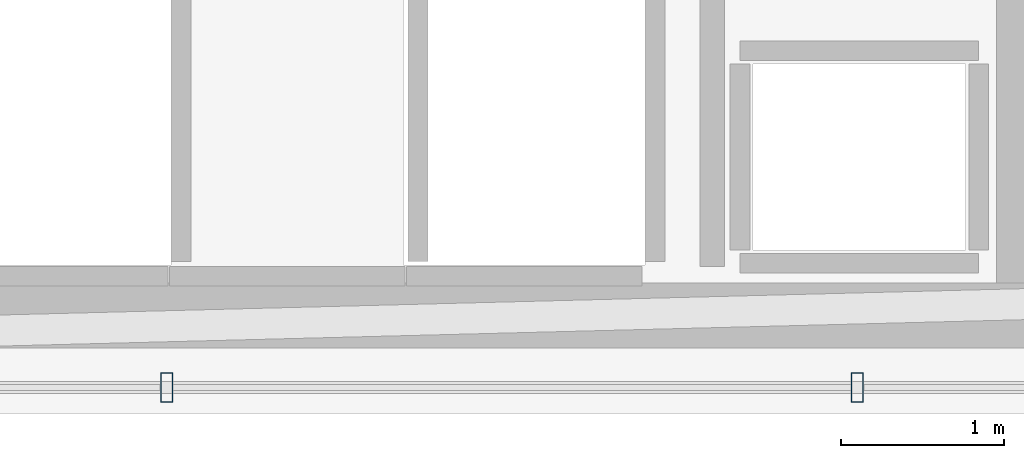
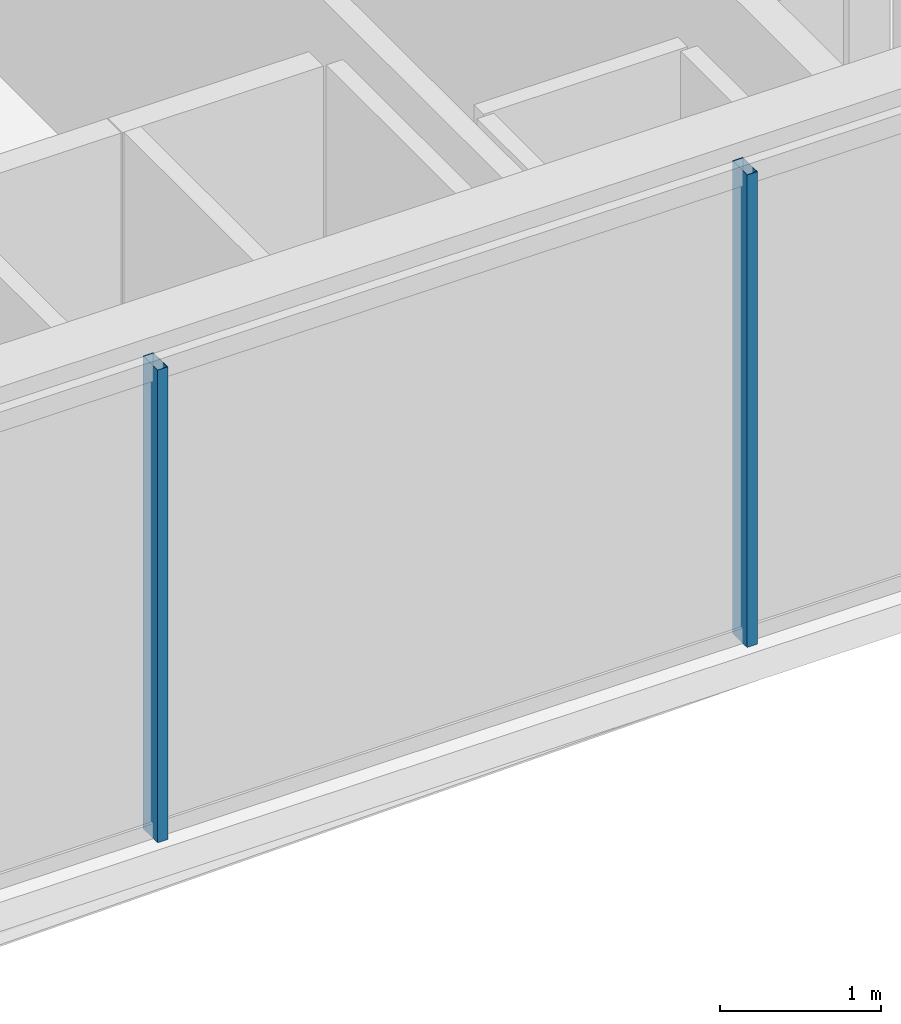
# One storey, part 8 of 33: 2 members, 1 element without a shape of its own.
"""IFC4 building model written with IfcOpenShell, lengths in metres."""

import ifcopenshell
import ifcopenshell.guid

model = None  # the IFC model being written
_history = None  # IfcOwnerHistory: only IFC2X3 demands one
_inside = {}  # id of a spatial element -> (the spatial element, [elements in it])
_under = {}  # id of a project, library or spatial element -> (it, [spatial elements below it])
_declared = {}  # id of a project -> (the project, [libraries it declares])
_typed = {}  # id of a type object -> (the type object, [elements of that type])
_made_of = {}  # id of a material, layer set ... -> (it, [elements and type objects made of it])


def new_model(schema):
    """Start an empty IFC model of exactly this schema.

    Asked for "IFC4X3", IfcOpenShell would pick the latest addendum, in which some entities
    have other attributes; the version numbers below select the first issue.
    IFC2X3 requires an IfcOwnerHistory on every rooted entity: one is made here for all.
    """
    global model, _history
    if schema == "IFC4X3":
        model = ifcopenshell.file(schema_version=(4, 3, 0, 0))
    else:
        model = ifcopenshell.file(schema=schema)
    _inside.clear()
    _under.clear()
    _declared.clear()
    _typed.clear()
    _made_of.clear()
    _history = None
    if model.schema == "IFC2X3":
        org = make("IfcOrganization", Name="unknown")
        user = make(
            "IfcPersonAndOrganization",
            ThePerson=make("IfcPerson", FamilyName="unknown"),
            TheOrganization=org,
        )
        app = make(
            "IfcApplication",
            ApplicationDeveloper=org,
            Version="unknown",
            ApplicationFullName="unknown",
            ApplicationIdentifier="unknown",
        )
        _history = make(
            "IfcOwnerHistory",
            OwningUser=user,
            OwningApplication=app,
            ChangeAction="ADDED",
            CreationDate=0,
        )
    return model


def make(cls, **values):
    """One entity of the class cls with the attributes given. An attribute that is None is left unset."""
    return model.create_entity(
        cls, **{name: value for name, value in values.items() if value is not None}
    )


def rooted(cls, **values):
    """An entity with a GlobalId (a new one), such as an element, a storey or a relation."""
    return make(cls, GlobalId=ifcopenshell.guid.new(), OwnerHistory=_history, **values)


def si_unit(unit_type, name, prefix=None):
    """IfcSIUnit, for example si_unit("LENGTHUNIT", "METRE", prefix="MILLI")."""
    return make("IfcSIUnit", UnitType=unit_type, Prefix=prefix, Name=name)


def assignment(units):
    """IfcUnitAssignment: the units of a project."""
    return None if units is None else make("IfcUnitAssignment", Units=units)


def point(xyz):
    """IfcCartesianPoint."""
    return None if xyz is None else make("IfcCartesianPoint", Coordinates=xyz)


def direction(xyz):
    """IfcDirection."""
    return None if xyz is None else make("IfcDirection", DirectionRatios=xyz)


def frame(location, z_axis=None, x_axis=None):
    """IfcAxis2Placement3D, a coordinate frame: its origin and axes. An axis left out is left unset."""
    return make(
        "IfcAxis2Placement3D",
        Location=point(location),
        Axis=direction(z_axis),
        RefDirection=direction(x_axis),
    )


def frame_2d(location, x_axis=None):
    """IfcAxis2Placement2D, a coordinate frame in the plane: its origin and x axis."""
    return make(
        "IfcAxis2Placement2D", Location=point(location), RefDirection=direction(x_axis)
    )


def origin():
    """The frame at (0, 0, 0) with its axes left unset."""
    return frame((0.0, 0.0, 0.0))


def origin_2d():
    """The frame at (0, 0) in the plane with its x axis left unset."""
    return frame_2d((0.0, 0.0))


def place(relative_to, where):
    """IfcLocalPlacement: puts the frame where relative to a parent placement (None: the world)."""
    return make(
        "IfcLocalPlacement", PlacementRelTo=relative_to, RelativePlacement=where
    )


def context(
    kind, dimensions, precision=None, world=None, true_north=None, identifier=None
):
    """IfcGeometricRepresentationContext, for example the 3D "Model" context."""
    return make(
        "IfcGeometricRepresentationContext",
        ContextIdentifier=identifier,
        ContextType=kind,
        CoordinateSpaceDimension=dimensions,
        Precision=precision,
        WorldCoordinateSystem=world,
        TrueNorth=true_north,
    )


def subcontext(parent, identifier, kind, view, scale=None):
    """IfcGeometricRepresentationSubContext, for example "Body" below "Model"."""
    return make(
        "IfcGeometricRepresentationSubContext",
        ContextIdentifier=identifier,
        ContextType=kind,
        ParentContext=parent,
        TargetScale=scale,
        TargetView=view,
    )


def project(units=None, contexts=None):
    """IfcProject with its units and contexts."""
    return rooted(
        "IfcProject",
        Name="project",
        RepresentationContexts=contexts,
        UnitsInContext=assignment(units),
    )


def spatial(cls, under=None, at=None, **own):
    """A site, building, storey or space (cls), placed at a placement, below another one or the project."""
    s = rooted(cls, ObjectPlacement=at, **own)
    if under is not None:
        _under.setdefault(under.id(), (under, []))[1].append(s)
    return s


def profile(cls, at=None, kind="AREA", **sizes):
    """A parametric profile (cls). Its sizes go by their IFC names, for example OverallWidth=200.0."""
    return make(cls, ProfileType=kind, Position=at, **sizes)


def hollow_rectangle(**sizes):
    """IfcRectangleHollowProfileDef."""
    return profile("IfcRectangleHollowProfileDef", **sizes)


def extrude(swept, where, along, depth):
    """IfcExtrudedAreaSolid: the profile swept, set in the frame where, extruded along a direction by depth."""
    return make(
        "IfcExtrudedAreaSolid",
        SweptArea=swept,
        Position=where,
        ExtrudedDirection=direction(along),
        Depth=depth,
    )


def shape(context_of_items, identifier, shape_type, items):
    """IfcShapeRepresentation: the items that make up one representation, for example the "Body"."""
    return make(
        "IfcShapeRepresentation",
        ContextOfItems=context_of_items,
        RepresentationIdentifier=identifier,
        RepresentationType=shape_type,
        Items=items,
    )


def material(Name=None, Category=None):
    """IfcMaterial."""
    return make("IfcMaterial", Name=Name, Category=Category)


def layer(
    of_material, thickness, ventilated=None, Name=None, Category=None, Priority=None
):
    """IfcMaterialLayer: one layer of a wall or slab, of a material (None: an air gap)."""
    return make(
        "IfcMaterialLayer",
        Material=of_material,
        LayerThickness=thickness,
        IsVentilated=ventilated,
        Name=Name,
        Category=Category,
        Priority=Priority,
    )


def layer_set(layers, Name=None):
    """IfcMaterialLayerSet."""
    return make("IfcMaterialLayerSet", MaterialLayers=layers, LayerSetName=Name)


def material_profile(
    of_material, cross_section, Name=None, Category=None, Priority=None
):
    """IfcMaterialProfile: a cross section and its material."""
    return make(
        "IfcMaterialProfile",
        Name=Name,
        Material=of_material,
        Profile=cross_section,
        Priority=Priority,
        Category=Category,
    )


def profile_set(profiles, Name=None, composite=None):
    """IfcMaterialProfileSet."""
    return make(
        "IfcMaterialProfileSet",
        Name=Name,
        MaterialProfiles=profiles,
        CompositeProfile=composite,
    )


def made_of(thing, what):
    """Note that an element or type object is made of a material, layer set ...; save() writes the relation."""
    if what is not None:
        _made_of.setdefault(what.id(), (what, []))[1].append(thing)
    return thing


def type_object(cls, material=None, **own):
    """A type object (cls), such as IfcWallType, which elements share."""
    return made_of(rooted(cls, **own), material)


def element(
    cls,
    number,
    at=None,
    inside=None,
    cuts=None,
    type_object=None,
    material=None,
    context=None,
    identifier="Body",
    shape_type=None,
    held_by="IfcProductDefinitionShape",
    body=None,
    shapes=None,
    **own,
):
    """One element of the class cls, such as IfcWall. Its Tag is "e" and its number.

    at: its placement. inside: the storey or other place that contains it. cuts: it is an
    opening in that element (IfcRelVoidsElement). A single representation is given by context,
    identifier, shape_type and body (its items); several are given by shapes. held_by: the class
    of the entity that holds the representations. save() writes the other relations.
    """
    e = rooted(cls, Tag="e%d" % number, ObjectPlacement=at, **own)
    if body is not None:
        shapes = [shape(context, identifier, shape_type, body)]
    if shapes is not None:
        e.Representation = make(held_by, Representations=shapes)
    if inside is not None:
        _inside.setdefault(inside.id(), (inside, []))[1].append(e)
    if cuts is not None:
        rooted(
            "IfcRelVoidsElement", RelatingBuildingElement=cuts, RelatedOpeningElement=e
        )
    if type_object is not None:
        _typed.setdefault(type_object.id(), (type_object, []))[1].append(e)
    return made_of(e, material)


def aggregate(whole, parts):
    """IfcRelAggregates: a whole, such as a stair, and the parts it consists of."""
    return rooted("IfcRelAggregates", RelatingObject=whole, RelatedObjects=parts)


def save(model, path):
    """Write the relations noted so far, then the file.

    IfcRelAggregates (storeys below a building ...), IfcRelContainedInSpatialStructure (elements
    in a storey), IfcRelDefinesByType, IfcRelAssociatesMaterial and IfcRelDeclares: one each for
    every whole, place, type object, material and project.
    """
    for whole, parts in _under.values():
        aggregate(whole, parts)
    for where, things in _inside.values():
        rooted(
            "IfcRelContainedInSpatialStructure",
            RelatedElements=things,
            RelatingStructure=where,
        )
    for kind, things in _typed.values():
        rooted("IfcRelDefinesByType", RelatedObjects=things, RelatingType=kind)
    for what, things in _made_of.values():
        rooted("IfcRelAssociatesMaterial", RelatedObjects=things, RelatingMaterial=what)
    for by, libraries in _declared.values():
        rooted("IfcRelDeclares", RelatingContext=by, RelatedDefinitions=libraries)
    model.write(path)


model = new_model("IFC4")

# Units and contexts
model_context = context("Model", 3, precision=1e-05, world=origin(), true_north=direction((0.0, 1.0)))
body_context = subcontext(model_context, "Body", "Model", "MODEL_VIEW")
ifc_project = project(units=[si_unit("LENGTHUNIT", "METRE"), si_unit("AREAUNIT", "SQUARE_METRE"), si_unit("VOLUMEUNIT", "CUBIC_METRE"), si_unit("PLANEANGLEUNIT", "RADIAN"), si_unit("MASSUNIT", "GRAM", prefix="KILO")], contexts=[model_context])

# Site, building, storey
site_placement = place(None, origin())
site = spatial("IfcSite", under=ifc_project, at=site_placement, CompositionType="ELEMENT")
building_placement = place(site_placement, origin())
building = spatial("IfcBuilding", under=site, at=building_placement, Name="Ndaravel Arena Tower", CompositionType="ELEMENT")
storey_placement = place(building_placement, frame((0.0, 0.0, 187.800048828125)))
storey = spatial("IfcBuildingStorey", under=building, at=storey_placement, Name="L45", CompositionType="ELEMENT", Elevation=187.800048828125)

# Curtain wall, members
ifc_material_1 = material(Name="Aluminium", Category="aluminium")
ifc_layer = layer(ifc_material_1, 0.179931640625)
ifc_layer_set = layer_set([ifc_layer], Name="Aluminium")
curtain_wall_type = type_object("IfcCurtainWallType", Name="CW-SYS-03", PredefinedType="NOTDEFINED", material=ifc_layer_set)
curtain_wall_placement = place(storey_placement, origin())
curtain_wall = element("IfcCurtainWall", 1, at=curtain_wall_placement, inside=storey, type_object=curtain_wall_type, Name="L45 Faceted Crystal Curtain Wall CW-L45-E01", PredefinedType="NOTDEFINED")
ifc_material_2 = material(Name="Aluminium", Category="aluminium")
ifc_material_profile = material_profile(ifc_material_2, hollow_rectangle(XDim=0.074951171875, YDim=0.179931640625, WallThickness=0.00390625, at=origin_2d()), Name="CW MULLION 75x180x4")
ifc_profile_set = profile_set([ifc_material_profile], Name="Aluminium")
member_type = type_object("IfcMemberType", Name="MEM-CW-MUL180", PredefinedType="MULLION", material=ifc_profile_set)
member_1_placement = place(storey_placement, frame((44.11279296875, 5.159912109375, 0.0), z_axis=(0.0, 0.0, 1.0), x_axis=(1.0, 0.0, 0.0)))
member_1 = element("IfcMember", 2, at=member_1_placement, type_object=member_type, Name="CW-L45-E01 Mullion 05", PredefinedType="MULLION", context=body_context, shape_type="SweptSolid", body=[
    extrude(hollow_rectangle(XDim=0.074951171875, YDim=0.179931640625, WallThickness=0.00390625, at=origin_2d()), origin(), (0.0, 0.0, 1.0), 3.579833984375),
])
member_2_placement = place(storey_placement, frame((48.337890625, 5.159912109375, 0.0), z_axis=(0.0, 0.0, 1.0), x_axis=(1.0, 0.0, 0.0)))
member_2 = element("IfcMember", 3, at=member_2_placement, type_object=member_type, Name="CW-L45-E01 Mullion 06", PredefinedType="MULLION", context=body_context, shape_type="SweptSolid", body=[
    extrude(hollow_rectangle(XDim=0.074951171875, YDim=0.179931640625, WallThickness=0.00390625, at=origin_2d()), origin(), (0.0, 0.0, 1.0), 3.579833984375),
])
aggregate(curtain_wall, [member_1, member_2])

save(model, "model.ifc")
